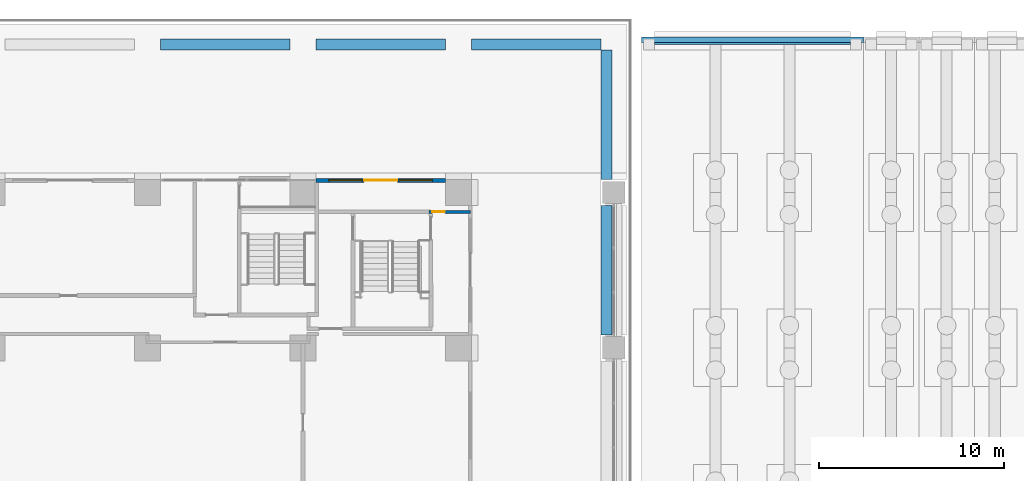
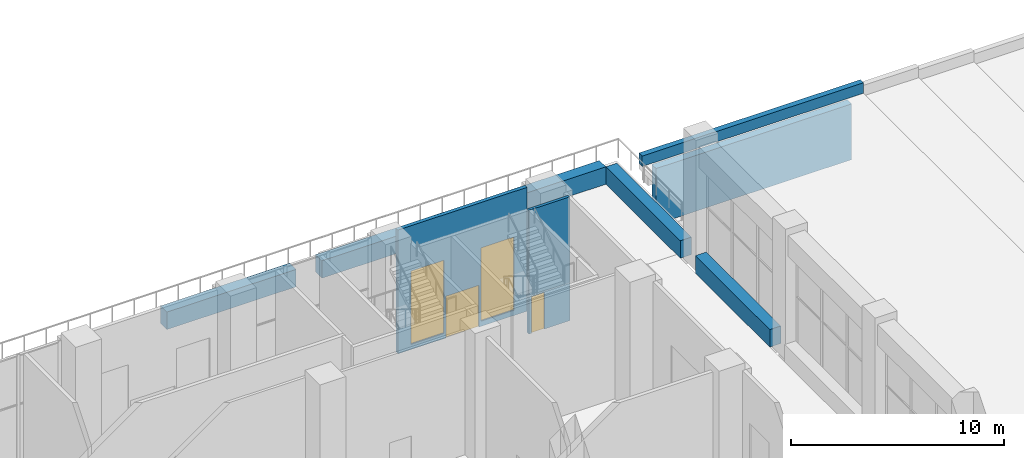
# One storey, part 32 of 53: 9 walls, 2 doors, 2 windows, 4 openings.
"""IFC4 building model written with IfcOpenShell, lengths in metres."""

from ifc_helpers import new_model, si_unit, direction, frame, frame_2d, origin, place, context, subcontext, project, spatial, rectangle, extrude, material, layer, layer_set, type_object, element, fill, save


model = new_model("IFC4")

# Units and contexts
model_context = context("Model", 3, precision=1e-05, world=origin(), true_north=direction((0.0, 1.0)))
body_context = subcontext(model_context, "Body", "Model", "MODEL_VIEW")
ifc_project = project(units=[si_unit("LENGTHUNIT", "METRE"), si_unit("AREAUNIT", "SQUARE_METRE"), si_unit("VOLUMEUNIT", "CUBIC_METRE"), si_unit("PLANEANGLEUNIT", "RADIAN"), si_unit("MASSUNIT", "GRAM", prefix="KILO")], contexts=[model_context])

# Site, building, storey
site_placement = place(None, origin())
site = spatial("IfcSite", under=ifc_project, at=site_placement, CompositionType="ELEMENT")
building_placement = place(site_placement, origin())
building = spatial("IfcBuilding", under=site, at=building_placement, Name="Vermilion Ogive Tower", CompositionType="ELEMENT")
storey_placement = place(building_placement, origin())
storey = spatial("IfcBuildingStorey", under=building, at=storey_placement, Name="L00", CompositionType="ELEMENT", Elevation=0.0)

# Wall, opening, door
ifc_material_1 = material(Name="Gypsum board partition on steel studs", Category="steel")
ifc_layer_1 = layer(ifc_material_1, 0.14990234375)
ifc_layer_set_1 = layer_set([ifc_layer_1], Name="Partition 150 corridor")
wall_type_1 = type_object("IfcWallType", Name="Partition 150 corridor", PredefinedType="PARTITIONING", material=ifc_layer_set_1)
wall_1_placement = place(storey_placement, frame((48.824951171875, 28.35009765625, 0.0), z_axis=(0.0, 0.0, 1.0), x_axis=(1.0, 0.0, 0.0)))
wall_1 = element("IfcWall", 1, at=wall_1_placement, inside=storey, type_object=wall_type_1, Name="L00-FS-W-W047", PredefinedType="PARTITIONING", context=body_context, shape_type="SweptSolid", body=[
    extrude(rectangle(XDim=2.22509765625, YDim=0.14990234375, at=frame_2d((1.112548828125, 0.0))), origin(), (0.0, 0.0, 1.0), 7.10009765625),
])
opening_1_placement = place(wall_1_placement, frame((0.14990234375, 0.0, 0.0)))
opening_1 = element("IfcOpeningElement", 2, at=opening_1_placement, cuts=wall_1, Name="Opening L00S067", PredefinedType="OPENING", context=body_context, shape_type="SweptSolid", body=[
    extrude(rectangle(XDim=0.699951171875, YDim=2.10009765625, at=frame_2d((0.35009765625, 1.050048828125))), frame((0.0, 0.0849609375, 0.0), z_axis=(0.0, -1.0, 0.0), x_axis=(1.0, 0.0, 0.0)), (0.0, 0.0, 1.0), 0.169921875),
])
ifc_material_2 = material(Name="Timber door leaf", Category="wood")
door_type_1 = type_object("IfcDoorType", Name="Room door 700 x 2100 FD30", OperationType="SINGLE_SWING_LEFT", PredefinedType="DOOR", material=ifc_material_2)
door_1_placement = place(opening_1_placement, origin())
door_1 = element("IfcDoor", 3, at=door_1_placement, inside=storey, type_object=door_type_1, Name="L00-FS-D-D067", OperationType="SINGLE_SWING_RIGHT", OverallHeight=2.10009765625, OverallWidth=0.699951171875, PredefinedType="DOOR", context=body_context, shape_type="SweptSolid", body=[
    extrude(rectangle(XDim=0.699951171875, YDim=2.10009765625, at=frame_2d((0.35009765625, 1.050048828125))), frame((0.0, 0.02490234375, 0.0), z_axis=(0.0, -1.0, 0.0), x_axis=(1.0, 0.0, 0.0)), (0.0, 0.0, 1.0), 0.050048828125),
])
fill(opening_1, door_1)

# Walls
ifc_material_3 = material(Name="Concrete B45", Category="concrete")
ifc_layer_2 = layer(ifc_material_3, 0.300048828125)
ifc_layer_set_2 = layer_set([ifc_layer_2], Name="Quay edge curb QK1")
wall_type_2 = type_object("IfcWallType", Name="Quay edge curb QK1", PredefinedType="PARAPET", material=ifc_layer_set_2)
wall_2_placement = place(storey_placement, frame((60.300048828125, 37.64990234375, 0.0), z_axis=(0.0, 0.0, 1.0), x_axis=(1.0, 0.0, 0.0)))
element("IfcWall", 4, at=wall_2_placement, inside=storey, type_object=wall_type_2, Name="Quay edge curb PROM N", PredefinedType="PARAPET", context=body_context, shape_type="SweptSolid", body=[
    extrude(rectangle(XDim=12.0, YDim=0.300048828125, at=frame_2d((6.0, 0.0))), origin(), (0.0, 0.0, 1.0), 0.60009765625),
])
ifc_material_4 = material(Name="Concrete B45", Category="concrete")
ifc_layer_3 = layer(ifc_material_4, 0.39990234375)
ifc_layer_set_3 = layer_set([ifc_layer_3], Name="Quay wall QW2 400")
wall_type_3 = type_object("IfcWallType", Name="Quay wall QW2 400", PredefinedType="SOLIDWALL", material=ifc_layer_set_3)
wall_3_placement = place(storey_placement, frame((61.0, 37.60009765625, -3.5), z_axis=(0.0, 0.0, 1.0), x_axis=(1.0, 0.0, 0.0)))
element("IfcWall", 5, at=wall_3_placement, inside=storey, type_object=wall_type_3, Name="Quay wall SITE-PROM N", PredefinedType="SOLIDWALL", context=body_context, shape_type="SweptSolid", body=[
    extrude(rectangle(XDim=10.60009765625, YDim=0.39990234375, at=frame_2d((5.300048828125, 0.0))), origin(), (0.0, 0.0, 1.0), 3.199951171875),
])
ifc_material_5 = material(Name="Concrete B40", Category="concrete")
ifc_layer_4 = layer(ifc_material_5, 0.60009765625)
ifc_layer_set_4 = layer_set([ifc_layer_4], Name="Terrace planter")
wall_type_4 = type_object("IfcWallType", Name="Terrace planter", PredefinedType="USERDEFINED", material=ifc_layer_set_4)
for number, where, z_axis, x_axis, name in (
    (6, (34.300048828125, 37.39990234375, 0.0), (0.0, 0.0, 1.0), (1.0, 0.0, 0.0), "Terrace planter 1.1.10"),
    (7, (42.699951171875, 37.39990234375, 0.0), (0.0, 0.0, 1.0), (1.0, 0.0, 0.0), "Terrace planter 1.1.11"),
    (8, (51.10009765625, 37.39990234375, 0.0), (0.0, 0.0, 1.0), (1.0, 0.0, 0.0), "Terrace planter 1.1.12"),
    (9, (58.39990234375, 37.10009765625, 0.0), (0.0, 0.0, 1.0), (0.0, -1.0, 0.0), "Terrace planter 1.1.13"),
    (10, (58.39990234375, 28.699951171875, 0.0), (0.0, 0.0, 1.0), (0.0, -1.0, 0.0), "Terrace planter 1.1.14"),
):
    element("IfcWall", number, at=place(storey_placement, frame(where, z_axis=z_axis, x_axis=x_axis)), inside=storey, type_object=wall_type_4, Name=name, ObjectType="PLANTER", PredefinedType="USERDEFINED", context=body_context, shape_type="SweptSolid", body=[
        extrude(rectangle(XDim=7.0, YDim=0.60009765625, at=frame_2d((3.5, 0.0))), origin(), (0.0, 0.0, 1.0), 1.0),
    ])

# Wall, openings, windows, door
ifc_material_6 = material(Name="Aluminium window wall framing", Category="aluminium")
ifc_layer_5 = layer(ifc_material_6, 0.199951171875)
ifc_layer_set_5 = layer_set([ifc_layer_5], Name="Window wall")
wall_type_5 = type_object("IfcWallType", Name="Window wall", PredefinedType="STANDARD", material=ifc_layer_set_5)
wall_4_placement = place(storey_placement, frame((42.699951171875, 30.050048828125, 0.0), z_axis=(0.0, 0.0, 1.0), x_axis=(1.0, 0.0, 0.0)))
wall_4 = element("IfcWall", 11, at=wall_4_placement, inside=storey, type_object=wall_type_5, Name="Window wall N1", PredefinedType="STANDARD", context=body_context, shape_type="SweptSolid", body=[
    extrude(rectangle(XDim=7.0, YDim=0.199951171875, at=frame_2d((3.5, 0.0))), origin(), (0.0, 0.0, 1.0), 7.10009765625),
])
opening_2_placement = place(wall_4_placement, frame((4.5, 0.0, 0.300048828125)))
opening_2 = element("IfcOpeningElement", 12, at=opening_2_placement, cuts=wall_4, Name="Opening P-N1A", PredefinedType="OPENING", context=body_context, shape_type="SweptSolid", body=[
    extrude(rectangle(XDim=1.800048828125, YDim=4.199951171875, at=frame_2d((0.89990234375, 2.10009765625))), frame((0.0, 0.10986328125, 0.0), z_axis=(0.0, -1.0, 0.0), x_axis=(1.0, 0.0, 0.0)), (0.0, 0.0, 1.0), 0.219970703125),
])
opening_3_placement = place(wall_4_placement, frame((2.60009765625, 0.0, 0.0)))
opening_3 = element("IfcOpeningElement", 13, at=opening_3_placement, cuts=wall_4, Name="Opening D2-N1", PredefinedType="OPENING", context=body_context, shape_type="SweptSolid", body=[
    extrude(rectangle(XDim=1.800048828125, YDim=2.39990234375, at=frame_2d((0.89990234375, 1.199951171875))), frame((0.0, 0.10986328125, 0.0), z_axis=(0.0, -1.0, 0.0), x_axis=(1.0, 0.0, 0.0)), (0.0, 0.0, 1.0), 0.219970703125),
])
opening_4_placement = place(wall_4_placement, frame((0.699951171875, 0.0, 0.300048828125)))
opening_4 = element("IfcOpeningElement", 14, at=opening_4_placement, cuts=wall_4, Name="Opening P-N1B", PredefinedType="OPENING", context=body_context, shape_type="SweptSolid", body=[
    extrude(rectangle(XDim=1.800048828125, YDim=4.199951171875, at=frame_2d((0.89990234375, 2.10009765625))), frame((0.0, 0.10986328125, 0.0), z_axis=(0.0, -1.0, 0.0), x_axis=(1.0, 0.0, 0.0)), (0.0, 0.0, 1.0), 0.219970703125),
])
ifc_material_7 = material(Name="Aluminium framed double glazing", Category="aluminium")
window_type = type_object("IfcWindowType", Name="Podium window P 1800x4200 sill 300", PartitioningType="SINGLE_PANEL", PredefinedType="WINDOW", material=ifc_material_7)
window_1_placement = place(opening_2_placement, origin())
window_1 = element("IfcWindow", 15, at=window_1_placement, inside=storey, type_object=window_type, Name="Window N1A", OverallHeight=4.199951171875, OverallWidth=1.800048828125, PartitioningType="SINGLE_PANEL", PredefinedType="WINDOW", context=body_context, shape_type="SweptSolid", body=[
    extrude(rectangle(XDim=1.800048828125, YDim=4.199951171875, at=frame_2d((0.89990234375, 2.10009765625))), frame((0.0, 0.030029296875, 0.0), z_axis=(0.0, -1.0, 0.0), x_axis=(1.0, 0.0, 0.0)), (0.0, 0.0, 1.0), 0.06005859375),
])
fill(opening_2, window_1)
window_2_placement = place(opening_4_placement, origin())
window_2 = element("IfcWindow", 16, at=window_2_placement, inside=storey, type_object=window_type, Name="Window N1B", OverallHeight=4.199951171875, OverallWidth=1.800048828125, PartitioningType="SINGLE_PANEL", PredefinedType="WINDOW", context=body_context, shape_type="SweptSolid", body=[
    extrude(rectangle(XDim=1.800048828125, YDim=4.199951171875, at=frame_2d((0.89990234375, 2.10009765625))), frame((0.0, 0.030029296875, 0.0), z_axis=(0.0, -1.0, 0.0), x_axis=(1.0, 0.0, 0.0)), (0.0, 0.0, 1.0), 0.06005859375),
])
fill(opening_4, window_2)
ifc_material_8 = material(Name="Aluminium framed glazed door", Category="aluminium")
door_type_2 = type_object("IfcDoorType", Name="Terrace door D2", OperationType="SINGLE_SWING_LEFT", PredefinedType="DOOR", material=ifc_material_8)
door_2_placement = place(opening_3_placement, origin())
door_2 = element("IfcDoor", 17, at=door_2_placement, inside=storey, type_object=door_type_2, Name="Terrace door N1", OperationType="SINGLE_SWING_LEFT", OverallHeight=2.39990234375, OverallWidth=1.800048828125, PredefinedType="DOOR", context=body_context, shape_type="SweptSolid", body=[
    extrude(rectangle(XDim=1.800048828125, YDim=2.39990234375, at=frame_2d((0.89990234375, 1.199951171875))), frame((0.0, 0.02490234375, 0.0), z_axis=(0.0, -1.0, 0.0), x_axis=(1.0, 0.0, 0.0)), (0.0, 0.0, 1.0), 0.050048828125),
])
fill(opening_3, door_2)

save(model, "model.ifc")
